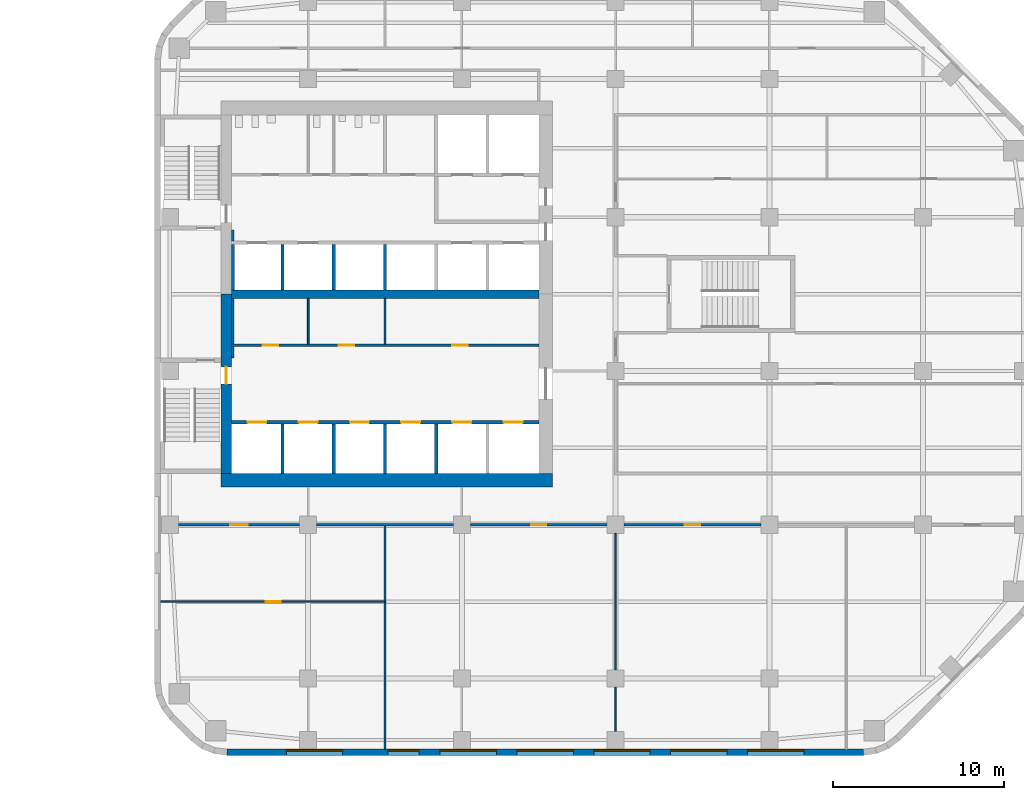
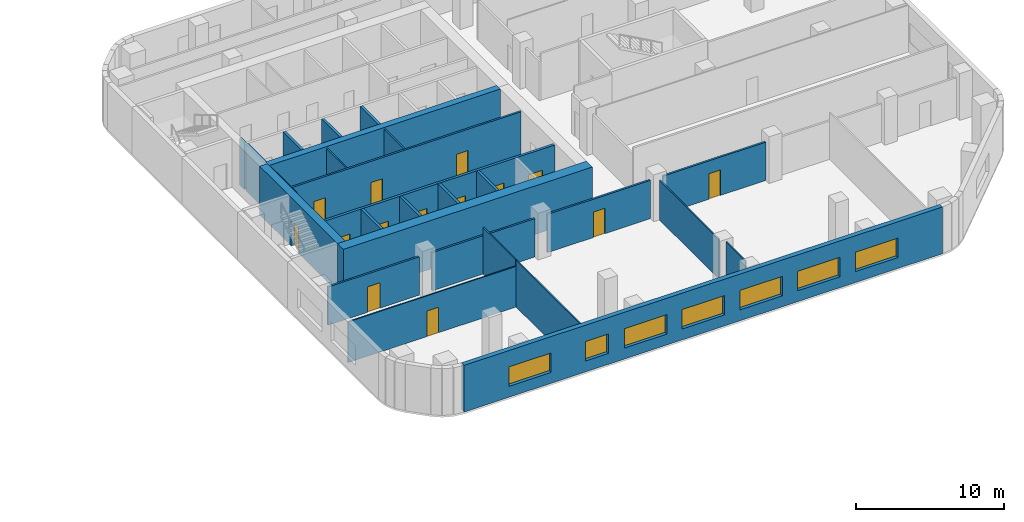
# One storey, part 8 of 14: 28 walls, 14 doors, 7 windows, 21 openings.
"""IFC4 building model written with IfcOpenShell, lengths in metres."""

from ifc_helpers import new_model, si_unit, direction, frame, frame_2d, origin, place, context, subcontext, project, spatial, rectangle, extrude, material, layer, layer_set, type_object, element, fill, save


model = new_model("IFC4")

# Units and contexts
model_context = context("Model", 3, precision=1e-05, world=origin(), true_north=direction((0.0, 1.0)))
body_context = subcontext(model_context, "Body", "Model", "MODEL_VIEW")
ifc_project = project(units=[si_unit("LENGTHUNIT", "METRE"), si_unit("AREAUNIT", "SQUARE_METRE"), si_unit("VOLUMEUNIT", "CUBIC_METRE"), si_unit("PLANEANGLEUNIT", "RADIAN"), si_unit("MASSUNIT", "GRAM", prefix="KILO")], contexts=[model_context])

# Site, building, storey
site_placement = place(None, origin())
site = spatial("IfcSite", under=ifc_project, at=site_placement, CompositionType="ELEMENT")
building_placement = place(site_placement, origin())
building = spatial("IfcBuilding", under=site, at=building_placement, Name="Cinnabar Reach Civic Tower", CompositionType="ELEMENT")
storey_placement = place(building_placement, frame((0.0, 0.0, 108.0)))
storey = spatial("IfcBuildingStorey", under=building, at=storey_placement, Name="L25", CompositionType="ELEMENT", Elevation=108.0)

# Wall, openings, windows
ifc_material_1 = material(Name="Facing brick with insulated backing", Category="masonry")
ifc_layer_1 = layer(ifc_material_1, 0.36)
ifc_layer_set_1 = layer_set([ifc_layer_1], Name="Brick pier and spandrel wall")
wall_type_1 = type_object("IfcWallType", Name="Brick pier and spandrel wall", PredefinedType="STANDARD", material=ifc_layer_set_1)
wall_1_placement = place(storey_placement, frame((4.2426, 4.68, 0.0), z_axis=(0.0, 0.0, 1.0), x_axis=(1.0, 0.0, 0.0)))
wall_1 = element("IfcWall", 1, at=wall_1_placement, inside=storey, type_object=wall_type_1, Name="Brick facade wall", PredefinedType="STANDARD", context=body_context, shape_type="SweptSolid", body=[
    extrude(rectangle(XDim=37.2648, YDim=0.36, at=frame_2d((18.6324, 0.0))), origin(), (0.0, 0.0, 1.0), 3.85),
])
opening_1_placement = place(wall_1_placement, frame((3.4824, 0.0, 0.9)))
opening_1 = element("IfcOpeningElement", 2, at=opening_1_placement, cuts=wall_1, Name="Opening W1523", PredefinedType="OPENING", context=body_context, shape_type="SweptSolid", body=[
    extrude(rectangle(XDim=3.3, YDim=1.6, at=frame_2d((1.65, 0.8))), frame((0.0, 0.19, 0.0), z_axis=(0.0, -1.0, 0.0), x_axis=(1.0, 0.0, 0.0)), (0.0, 0.0, 1.0), 0.38),
])
opening_2_placement = place(wall_1_placement, frame((9.4324, 0.0, 0.9)))
opening_2 = element("IfcOpeningElement", 3, at=opening_2_placement, cuts=wall_1, Name="Opening W1524", PredefinedType="OPENING", context=body_context, shape_type="SweptSolid", body=[
    extrude(rectangle(XDim=1.8, YDim=1.6, at=frame_2d((0.9, 0.8))), frame((0.0, 0.19, 0.0), z_axis=(0.0, -1.0, 0.0), x_axis=(1.0, 0.0, 0.0)), (0.0, 0.0, 1.0), 0.38),
])
opening_3_placement = place(wall_1_placement, frame((12.4824, 0.0, 0.9)))
opening_3 = element("IfcOpeningElement", 4, at=opening_3_placement, cuts=wall_1, Name="Opening W1525", PredefinedType="OPENING", context=body_context, shape_type="SweptSolid", body=[
    extrude(rectangle(XDim=3.3, YDim=1.6, at=frame_2d((1.65, 0.8))), frame((0.0, 0.19, 0.0), z_axis=(0.0, -1.0, 0.0), x_axis=(1.0, 0.0, 0.0)), (0.0, 0.0, 1.0), 0.38),
])
opening_4_placement = place(wall_1_placement, frame((16.9824, 0.0, 0.9)))
opening_4 = element("IfcOpeningElement", 5, at=opening_4_placement, cuts=wall_1, Name="Opening W1526", PredefinedType="OPENING", context=body_context, shape_type="SweptSolid", body=[
    extrude(rectangle(XDim=3.3, YDim=1.6, at=frame_2d((1.65, 0.8))), frame((0.0, 0.19, 0.0), z_axis=(0.0, -1.0, 0.0), x_axis=(1.0, 0.0, 0.0)), (0.0, 0.0, 1.0), 0.38),
])
opening_5_placement = place(wall_1_placement, frame((21.4824, 0.0, 0.9)))
opening_5 = element("IfcOpeningElement", 6, at=opening_5_placement, cuts=wall_1, Name="Opening W1527", PredefinedType="OPENING", context=body_context, shape_type="SweptSolid", body=[
    extrude(rectangle(XDim=3.3, YDim=1.6, at=frame_2d((1.65, 0.8))), frame((0.0, 0.19, 0.0), z_axis=(0.0, -1.0, 0.0), x_axis=(1.0, 0.0, 0.0)), (0.0, 0.0, 1.0), 0.38),
])
opening_6_placement = place(wall_1_placement, frame((25.9824, 0.0, 0.9)))
opening_6 = element("IfcOpeningElement", 7, at=opening_6_placement, cuts=wall_1, Name="Opening W1528", PredefinedType="OPENING", context=body_context, shape_type="SweptSolid", body=[
    extrude(rectangle(XDim=3.3, YDim=1.6, at=frame_2d((1.65, 0.8))), frame((0.0, 0.19, 0.0), z_axis=(0.0, -1.0, 0.0), x_axis=(1.0, 0.0, 0.0)), (0.0, 0.0, 1.0), 0.38),
])
opening_7_placement = place(wall_1_placement, frame((30.4824, 0.0, 0.9)))
opening_7 = element("IfcOpeningElement", 8, at=opening_7_placement, cuts=wall_1, Name="Opening W1529", PredefinedType="OPENING", context=body_context, shape_type="SweptSolid", body=[
    extrude(rectangle(XDim=3.3, YDim=1.6, at=frame_2d((1.65, 0.8))), frame((0.0, 0.19, 0.0), z_axis=(0.0, -1.0, 0.0), x_axis=(1.0, 0.0, 0.0)), (0.0, 0.0, 1.0), 0.38),
])
ifc_material_2 = material(Name="Clear double glazing in aluminium frame", Category="aluminium")
window_type_1 = type_object("IfcWindowType", Name="Deep-set window A", PartitioningType="SINGLE_PANEL", PredefinedType="WINDOW", material=ifc_material_2)
window_1_placement = place(opening_1_placement, origin())
window_1 = element("IfcWindow", 9, at=window_1_placement, inside=storey, type_object=window_type_1, Name="Window south face", OverallHeight=1.6, OverallWidth=3.3, PartitioningType="SINGLE_PANEL", PredefinedType="WINDOW", context=body_context, shape_type="SweptSolid", body=[
    extrude(rectangle(XDim=3.3, YDim=1.6, at=frame_2d((1.65, 0.8))), frame((0.0, 0.13, 0.0), z_axis=(0.0, -1.0, 0.0), x_axis=(1.0, 0.0, 0.0)), (0.0, 0.0, 1.0), 0.06),
])
fill(opening_1, window_1)
window_2_placement = place(opening_3_placement, origin())
window_2 = element("IfcWindow", 10, at=window_2_placement, inside=storey, type_object=window_type_1, Name="Window south face", OverallHeight=1.6, OverallWidth=3.3, PartitioningType="SINGLE_PANEL", PredefinedType="WINDOW", context=body_context, shape_type="SweptSolid", body=[
    extrude(rectangle(XDim=3.3, YDim=1.6, at=frame_2d((1.65, 0.8))), frame((0.0, 0.13, 0.0), z_axis=(0.0, -1.0, 0.0), x_axis=(1.0, 0.0, 0.0)), (0.0, 0.0, 1.0), 0.06),
])
fill(opening_3, window_2)
window_3_placement = place(opening_4_placement, origin())
window_3 = element("IfcWindow", 11, at=window_3_placement, inside=storey, type_object=window_type_1, Name="Window south face", OverallHeight=1.6, OverallWidth=3.3, PartitioningType="SINGLE_PANEL", PredefinedType="WINDOW", context=body_context, shape_type="SweptSolid", body=[
    extrude(rectangle(XDim=3.3, YDim=1.6, at=frame_2d((1.65, 0.8))), frame((0.0, 0.13, 0.0), z_axis=(0.0, -1.0, 0.0), x_axis=(1.0, 0.0, 0.0)), (0.0, 0.0, 1.0), 0.06),
])
fill(opening_4, window_3)
window_4_placement = place(opening_5_placement, origin())
window_4 = element("IfcWindow", 12, at=window_4_placement, inside=storey, type_object=window_type_1, Name="Window south face", OverallHeight=1.6, OverallWidth=3.3, PartitioningType="SINGLE_PANEL", PredefinedType="WINDOW", context=body_context, shape_type="SweptSolid", body=[
    extrude(rectangle(XDim=3.3, YDim=1.6, at=frame_2d((1.65, 0.8))), frame((0.0, 0.13, 0.0), z_axis=(0.0, -1.0, 0.0), x_axis=(1.0, 0.0, 0.0)), (0.0, 0.0, 1.0), 0.06),
])
fill(opening_5, window_4)
window_5_placement = place(opening_6_placement, origin())
window_5 = element("IfcWindow", 13, at=window_5_placement, inside=storey, type_object=window_type_1, Name="Window south face", OverallHeight=1.6, OverallWidth=3.3, PartitioningType="SINGLE_PANEL", PredefinedType="WINDOW", context=body_context, shape_type="SweptSolid", body=[
    extrude(rectangle(XDim=3.3, YDim=1.6, at=frame_2d((1.65, 0.8))), frame((0.0, 0.13, 0.0), z_axis=(0.0, -1.0, 0.0), x_axis=(1.0, 0.0, 0.0)), (0.0, 0.0, 1.0), 0.06),
])
fill(opening_6, window_5)
window_6_placement = place(opening_7_placement, origin())
window_6 = element("IfcWindow", 14, at=window_6_placement, inside=storey, type_object=window_type_1, Name="Window south face", OverallHeight=1.6, OverallWidth=3.3, PartitioningType="SINGLE_PANEL", PredefinedType="WINDOW", context=body_context, shape_type="SweptSolid", body=[
    extrude(rectangle(XDim=3.3, YDim=1.6, at=frame_2d((1.65, 0.8))), frame((0.0, 0.13, 0.0), z_axis=(0.0, -1.0, 0.0), x_axis=(1.0, 0.0, 0.0)), (0.0, 0.0, 1.0), 0.06),
])
fill(opening_7, window_6)
window_type_2 = type_object("IfcWindowType", Name="Deep-set window D", PartitioningType="SINGLE_PANEL", PredefinedType="WINDOW", material=ifc_material_2)
window_7_placement = place(opening_2_placement, origin())
window_7 = element("IfcWindow", 15, at=window_7_placement, inside=storey, type_object=window_type_2, Name="Window south face", OverallHeight=1.6, OverallWidth=1.8, PartitioningType="SINGLE_PANEL", PredefinedType="WINDOW", context=body_context, shape_type="SweptSolid", body=[
    extrude(rectangle(XDim=1.8, YDim=1.6, at=frame_2d((0.9, 0.8))), frame((0.0, 0.13, 0.0), z_axis=(0.0, -1.0, 0.0), x_axis=(1.0, 0.0, 0.0)), (0.0, 0.0, 1.0), 0.06),
])
fill(opening_2, window_7)

# Wall
ifc_material_3 = material(Name="Concrete C60", Category="concrete")
ifc_layer_2 = layer(ifc_material_3, 0.5)
ifc_layer_set_2 = layer_set([ifc_layer_2], Name="Core wall 500 EI 180")
wall_type_2 = type_object("IfcWallType", Name="Core wall 500 EI 180", PredefinedType="SOLIDWALL", material=ifc_layer_set_2)
wall_2_placement = place(storey_placement, frame((4.5, 31.5, 0.0), z_axis=(0.0, 0.0, 1.0), x_axis=(1.0, 0.0, 0.0)))
element("IfcWall", 16, at=wall_2_placement, inside=storey, type_object=wall_type_2, Name="Core spine wall T1 L25", PredefinedType="SOLIDWALL", context=body_context, shape_type="SweptSolid", body=[
    extrude(rectangle(XDim=18.0, YDim=0.5, at=frame_2d((9.0, 0.0))), origin(), (0.0, 0.0, 1.0), 4.0),
])

# Wall, opening, door
ifc_material_4 = material(Name="Concrete C70", Category="concrete")
ifc_layer_3 = layer(ifc_material_4, 0.6)
ifc_layer_set_3 = layer_set([ifc_layer_3], Name="Core wall 600 EI 180")
wall_type_3 = type_object("IfcWallType", Name="Core wall 600 EI 180", PredefinedType="SOLIDWALL", material=ifc_layer_set_3)
wall_3_placement = place(storey_placement, frame((4.2, 31.5, 0.0), z_axis=(0.0, 0.0, 1.0), x_axis=(0.0, -1.0, 0.0)))
wall_3 = element("IfcWall", 17, at=wall_3_placement, inside=storey, type_object=wall_type_3, Name="Core wall T1 L25 W2", PredefinedType="SOLIDWALL", context=body_context, shape_type="SweptSolid", body=[
    extrude(rectangle(XDim=10.5, YDim=0.6, at=frame_2d((5.25, 0.0))), origin(), (0.0, 0.0, 1.0), 4.0),
])
opening_8_placement = place(wall_3_placement, frame((4.25, 0.0, 0.0)))
opening_8 = element("IfcOpeningElement", 18, at=opening_8_placement, cuts=wall_3, Name="Opening D4005", PredefinedType="OPENING", context=body_context, shape_type="SweptSolid", body=[
    extrude(rectangle(XDim=1.0, YDim=2.1, at=frame_2d((0.5, 1.05))), frame((0.0, 0.31, 0.0), z_axis=(0.0, -1.0, 0.0), x_axis=(1.0, 0.0, 0.0)), (0.0, 0.0, 1.0), 0.62),
])
ifc_material_5 = material(Name="Timber door leaf in steel frame", Category="steel")
door_type_1 = type_object("IfcDoorType", Name="Stair door 1000 x 2100 T1", OperationType="SINGLE_SWING_LEFT", PredefinedType="DOOR", material=ifc_material_5)
door_1_placement = place(opening_8_placement, frame((1.0, 0.0, 0.0), z_axis=(0.0, 0.0, 1.0), x_axis=(-1.0, 0.0, 0.0)))
door_1 = element("IfcDoor", 19, at=door_1_placement, inside=storey, type_object=door_type_1, Name="Door D4005", OperationType="SINGLE_SWING_RIGHT", OverallHeight=2.1, OverallWidth=1.0, PredefinedType="DOOR", context=body_context, shape_type="SweptSolid", body=[
    extrude(rectangle(XDim=1.0, YDim=2.1, at=frame_2d((0.5, 1.05))), frame((0.0, 0.025, 0.0), z_axis=(0.0, -1.0, 0.0), x_axis=(1.0, 0.0, 0.0)), (0.0, 0.0, 1.0), 0.05),
])
fill(opening_8, door_1)

# Wall
ifc_layer_4 = layer(ifc_material_4, 0.8)
ifc_layer_set_4 = layer_set([ifc_layer_4], Name="Core wall 800 EI 180")
wall_type_4 = type_object("IfcWallType", Name="Core wall 800 EI 180", PredefinedType="SOLIDWALL", material=ifc_layer_set_4)
wall_4_placement = place(storey_placement, frame((3.9, 20.6, 0.0), z_axis=(0.0, 0.0, 1.0), x_axis=(1.0, 0.0, 0.0)))
element("IfcWall", 20, at=wall_4_placement, inside=storey, type_object=wall_type_4, Name="Core wall T1 L25 S", PredefinedType="SOLIDWALL", context=body_context, shape_type="SweptSolid", body=[
    extrude(rectangle(XDim=19.4, YDim=0.8, at=frame_2d((9.7, 0.0))), origin(), (0.0, 0.0, 1.0), 4.0),
])

# Wall, opening, door
ifc_material_6 = material(Name="Gypsum board on steel studs, double layer", Category="steel")
ifc_layer_5 = layer(ifc_material_6, 0.15)
ifc_layer_set_5 = layer_set([ifc_layer_5], Name="Corridor wall 150 T1")
wall_type_5 = type_object("IfcWallType", Name="Corridor wall 150 T1", PredefinedType="PARTITIONING", material=ifc_layer_set_5)
wall_5_placement = place(storey_placement, frame((27.5, 18.0, 0.0), z_axis=(0.0, 0.0, 1.0), x_axis=(1.0, 0.0, 0.0)))
wall_5 = element("IfcWall", 21, at=wall_5_placement, inside=storey, type_object=wall_type_5, Name="Corridor wall 21", PredefinedType="PARTITIONING", context=body_context, shape_type="SweptSolid", body=[
    extrude(rectangle(XDim=8.0, YDim=0.15, at=frame_2d((4.0, 0.0))), origin(), (0.0, 0.0, 1.0), 3.158),
])
opening_9_placement = place(wall_5_placement, frame((3.55, 0.0, 0.0)))
opening_9 = element("IfcOpeningElement", 22, at=opening_9_placement, cuts=wall_5, Name="Opening D4040", PredefinedType="OPENING", context=body_context, shape_type="SweptSolid", body=[
    extrude(rectangle(XDim=0.9, YDim=2.1, at=frame_2d((0.45, 1.05))), frame((0.0, 0.085, 0.0), z_axis=(0.0, -1.0, 0.0), x_axis=(1.0, 0.0, 0.0)), (0.0, 0.0, 1.0), 0.17),
])
door_type_2 = type_object("IfcDoorType", Name="Single swing door 900 x 2100 corridor T1", OperationType="SINGLE_SWING_LEFT", PredefinedType="DOOR", material=ifc_material_5)
door_2_placement = place(opening_9_placement, frame((0.9, 0.0, 0.0), z_axis=(0.0, 0.0, 1.0), x_axis=(-1.0, 0.0, 0.0)))
door_2 = element("IfcDoor", 23, at=door_2_placement, inside=storey, type_object=door_type_2, Name="Door D4040", OperationType="SINGLE_SWING_LEFT", OverallHeight=2.1, OverallWidth=0.9, PredefinedType="DOOR", context=body_context, shape_type="SweptSolid", body=[
    extrude(rectangle(XDim=0.9, YDim=2.1, at=frame_2d((0.45, 1.05))), frame((0.0, 0.025, 0.0), z_axis=(0.0, -1.0, 0.0), x_axis=(1.0, 0.0, 0.0)), (0.0, 0.0, 1.0), 0.05),
])
fill(opening_9, door_2)

wall_6_placement = place(storey_placement, frame((18.5, 18.0, 0.0), z_axis=(0.0, 0.0, 1.0), x_axis=(1.0, 0.0, 0.0)))
wall_6 = element("IfcWall", 24, at=wall_6_placement, inside=storey, type_object=wall_type_5, Name="Corridor wall 22", PredefinedType="PARTITIONING", context=body_context, shape_type="SweptSolid", body=[
    extrude(rectangle(XDim=8.0, YDim=0.15, at=frame_2d((4.0, 0.0))), origin(), (0.0, 0.0, 1.0), 3.158),
])
opening_10_placement = place(wall_6_placement, frame((3.55, 0.0, 0.0)))
opening_10 = element("IfcOpeningElement", 25, at=opening_10_placement, cuts=wall_6, Name="Opening D4039", PredefinedType="OPENING", context=body_context, shape_type="SweptSolid", body=[
    extrude(rectangle(XDim=0.9, YDim=2.1, at=frame_2d((0.45, 1.05))), frame((0.0, 0.085, 0.0), z_axis=(0.0, -1.0, 0.0), x_axis=(1.0, 0.0, 0.0)), (0.0, 0.0, 1.0), 0.17),
])
door_3_placement = place(opening_10_placement, frame((0.9, 0.0, 0.0), z_axis=(0.0, 0.0, 1.0), x_axis=(-1.0, 0.0, 0.0)))
door_3 = element("IfcDoor", 26, at=door_3_placement, inside=storey, type_object=door_type_2, Name="Door D4039", OperationType="SINGLE_SWING_RIGHT", OverallHeight=2.1, OverallWidth=0.9, PredefinedType="DOOR", context=body_context, shape_type="SweptSolid", body=[
    extrude(rectangle(XDim=0.9, YDim=2.1, at=frame_2d((0.45, 1.05))), frame((0.0, 0.025, 0.0), z_axis=(0.0, -1.0, 0.0), x_axis=(1.0, 0.0, 0.0)), (0.0, 0.0, 1.0), 0.05),
])
fill(opening_10, door_3)

# Wall
wall_7_placement = place(storey_placement, frame((9.5, 18.0, 0.0), z_axis=(0.0, 0.0, 1.0), x_axis=(1.0, 0.0, 0.0)))
element("IfcWall", 27, at=wall_7_placement, inside=storey, type_object=wall_type_5, Name="Corridor wall 23", PredefinedType="PARTITIONING", context=body_context, shape_type="SweptSolid", body=[
    extrude(rectangle(XDim=8.0, YDim=0.15, at=frame_2d((4.0, 0.0))), origin(), (0.0, 0.0, 1.0), 3.158),
])

# Wall, opening, door
wall_8_placement = place(storey_placement, frame((1.4, 18.0, 0.0), z_axis=(0.0, 0.0, 1.0), x_axis=(1.0, 0.0, 0.0)))
wall_8 = element("IfcWall", 28, at=wall_8_placement, inside=storey, type_object=wall_type_5, Name="Corridor wall 24", PredefinedType="PARTITIONING", context=body_context, shape_type="SweptSolid", body=[
    extrude(rectangle(XDim=7.1, YDim=0.15, at=frame_2d((3.55, 0.0))), origin(), (0.0, 0.0, 1.0), 3.158),
])
opening_11_placement = place(wall_8_placement, frame((3.05, 0.0, 0.0)))
opening_11 = element("IfcOpeningElement", 29, at=opening_11_placement, cuts=wall_8, Name="Opening D4037", PredefinedType="OPENING", context=body_context, shape_type="SweptSolid", body=[
    extrude(rectangle(XDim=1.0, YDim=2.1, at=frame_2d((0.5, 1.05))), frame((0.0, 0.085, 0.0), z_axis=(0.0, -1.0, 0.0), x_axis=(1.0, 0.0, 0.0)), (0.0, 0.0, 1.0), 0.17),
])
door_type_3 = type_object("IfcDoorType", Name="Tenancy entrance door 1000 x 2100 T1", OperationType="SINGLE_SWING_LEFT", PredefinedType="DOOR", material=ifc_material_5)
door_4_placement = place(opening_11_placement, frame((1.0, 0.0, 0.0), z_axis=(0.0, 0.0, 1.0), x_axis=(-1.0, 0.0, 0.0)))
door_4 = element("IfcDoor", 30, at=door_4_placement, inside=storey, type_object=door_type_3, Name="Door D4037", OperationType="SINGLE_SWING_LEFT", OverallHeight=2.1, OverallWidth=1.0, PredefinedType="DOOR", context=body_context, shape_type="SweptSolid", body=[
    extrude(rectangle(XDim=1.0, YDim=2.1, at=frame_2d((0.5, 1.05))), frame((0.0, 0.025, 0.0), z_axis=(0.0, -1.0, 0.0), x_axis=(1.0, 0.0, 0.0)), (0.0, 0.0, 1.0), 0.05),
])
fill(opening_11, door_4)

# Wall, openings, doors
wall_9_placement = place(storey_placement, frame((4.5, 28.5, 0.0), z_axis=(0.0, 0.0, 1.0), x_axis=(1.0, 0.0, 0.0)))
wall_9 = element("IfcWall", 31, at=wall_9_placement, inside=storey, type_object=wall_type_5, Name="Corridor wall 29", PredefinedType="PARTITIONING", context=body_context, shape_type="SweptSolid", body=[
    extrude(rectangle(XDim=18.0, YDim=0.15, at=frame_2d((9.0, 0.0))), origin(), (0.0, 0.0, 1.0), 3.85),
])
opening_12_placement = place(wall_9_placement, frame((1.85, 0.0, 0.0)))
opening_12 = element("IfcOpeningElement", 32, at=opening_12_placement, cuts=wall_9, Name="Opening D4025", PredefinedType="OPENING", context=body_context, shape_type="SweptSolid", body=[
    extrude(rectangle(XDim=0.9, YDim=2.1, at=frame_2d((0.45, 1.05))), frame((0.0, 0.085, 0.0), z_axis=(0.0, -1.0, 0.0), x_axis=(1.0, 0.0, 0.0)), (0.0, 0.0, 1.0), 0.17),
])
opening_13_placement = place(wall_9_placement, frame((6.3, 0.0, 0.0)))
opening_13 = element("IfcOpeningElement", 33, at=opening_13_placement, cuts=wall_9, Name="Opening D4026", PredefinedType="OPENING", context=body_context, shape_type="SweptSolid", body=[
    extrude(rectangle(XDim=0.9, YDim=2.1, at=frame_2d((0.45, 1.05))), frame((0.0, 0.085, 0.0), z_axis=(0.0, -1.0, 0.0), x_axis=(1.0, 0.0, 0.0)), (0.0, 0.0, 1.0), 0.17),
])
opening_14_placement = place(wall_9_placement, frame((12.95, 0.0, 0.0)))
opening_14 = element("IfcOpeningElement", 34, at=opening_14_placement, cuts=wall_9, Name="Opening D4027", PredefinedType="OPENING", context=body_context, shape_type="SweptSolid", body=[
    extrude(rectangle(XDim=0.9, YDim=2.1, at=frame_2d((0.45, 1.05))), frame((0.0, 0.085, 0.0), z_axis=(0.0, -1.0, 0.0), x_axis=(1.0, 0.0, 0.0)), (0.0, 0.0, 1.0), 0.17),
])
door_5_placement = place(opening_12_placement, origin())
door_5 = element("IfcDoor", 35, at=door_5_placement, inside=storey, type_object=door_type_2, Name="Door D4025", OperationType="SINGLE_SWING_LEFT", OverallHeight=2.1, OverallWidth=0.9, PredefinedType="DOOR", context=body_context, shape_type="SweptSolid", body=[
    extrude(rectangle(XDim=0.9, YDim=2.1, at=frame_2d((0.45, 1.05))), frame((0.0, 0.025, 0.0), z_axis=(0.0, -1.0, 0.0), x_axis=(1.0, 0.0, 0.0)), (0.0, 0.0, 1.0), 0.05),
])
fill(opening_12, door_5)
door_6_placement = place(opening_13_placement, origin())
door_6 = element("IfcDoor", 36, at=door_6_placement, inside=storey, type_object=door_type_2, Name="Door D4026", OperationType="SINGLE_SWING_LEFT", OverallHeight=2.1, OverallWidth=0.9, PredefinedType="DOOR", context=body_context, shape_type="SweptSolid", body=[
    extrude(rectangle(XDim=0.9, YDim=2.1, at=frame_2d((0.45, 1.05))), frame((0.0, 0.025, 0.0), z_axis=(0.0, -1.0, 0.0), x_axis=(1.0, 0.0, 0.0)), (0.0, 0.0, 1.0), 0.05),
])
fill(opening_13, door_6)
door_7_placement = place(opening_14_placement, origin())
door_7 = element("IfcDoor", 37, at=door_7_placement, inside=storey, type_object=door_type_2, Name="Door D4027", OperationType="SINGLE_SWING_RIGHT", OverallHeight=2.1, OverallWidth=0.9, PredefinedType="DOOR", context=body_context, shape_type="SweptSolid", body=[
    extrude(rectangle(XDim=0.9, YDim=2.1, at=frame_2d((0.45, 1.05))), frame((0.0, 0.025, 0.0), z_axis=(0.0, -1.0, 0.0), x_axis=(1.0, 0.0, 0.0)), (0.0, 0.0, 1.0), 0.05),
])
fill(opening_14, door_7)

# Walls
wall_10_placement = place(storey_placement, frame((4.575, 27.75, 0.0), z_axis=(0.0, 0.0, 1.0), x_axis=(0.0, 1.0, 0.0)))
element("IfcWall", 38, at=wall_10_placement, inside=storey, type_object=wall_type_5, Name="Corridor wall 35", PredefinedType="PARTITIONING", context=body_context, shape_type="SweptSolid", body=[
    extrude(rectangle(XDim=0.675, YDim=0.15, at=frame_2d((0.3375, 0.0))), origin(), (0.0, 0.0, 1.0), 3.85),
])
wall_11_placement = place(storey_placement, frame((4.575, 28.575, 0.0), z_axis=(0.0, 0.0, 1.0), x_axis=(0.0, 1.0, 0.0)))
element("IfcWall", 39, at=wall_11_placement, inside=storey, type_object=wall_type_5, Name="Corridor wall 36", PredefinedType="PARTITIONING", context=body_context, shape_type="SweptSolid", body=[
    extrude(rectangle(XDim=2.675, YDim=0.15, at=frame_2d((1.3375, 0.0))), origin(), (0.0, 0.0, 1.0), 3.85),
])
wall_12_placement = place(storey_placement, frame((4.575, 34.6, 0.0), z_axis=(0.0, 0.0, 1.0), x_axis=(0.0, 1.0, 0.0)))
element("IfcWall", 40, at=wall_12_placement, inside=storey, type_object=wall_type_5, Name="Corridor wall 40", PredefinedType="PARTITIONING", context=body_context, shape_type="SweptSolid", body=[
    extrude(rectangle(XDim=0.65, YDim=0.15, at=frame_2d((0.325, 0.0))), origin(), (0.0, 0.0, 1.0), 3.85),
])

# Wall, openings, doors
ifc_material_7 = material(Name="Blockwork", Category="masonry")
ifc_layer_6 = layer(ifc_material_7, 0.2)
ifc_layer_set_6 = layer_set([ifc_layer_6], Name="Lift shaft wall 200 T1")
wall_type_6 = type_object("IfcWallType", Name="Lift shaft wall 200 T1", PredefinedType="PARTITIONING", material=ifc_layer_set_6)
wall_13_placement = place(storey_placement, frame((4.5, 24.0, 0.0), z_axis=(0.0, 0.0, 1.0), x_axis=(1.0, 0.0, 0.0)))
wall_13 = element("IfcWall", 41, at=wall_13_placement, inside=storey, type_object=wall_type_6, Name="Lift shaft wall 4", PredefinedType="PARTITIONING", context=body_context, shape_type="SweptSolid", body=[
    extrude(rectangle(XDim=18.0, YDim=0.2, at=frame_2d((9.0, 0.0))), origin(), (0.0, 0.0, 1.0), 3.85),
])
opening_15_placement = place(wall_13_placement, frame((0.95, 0.0, 0.0)))
opening_15 = element("IfcOpeningElement", 42, at=opening_15_placement, cuts=wall_13, Name="Opening D4009", PredefinedType="OPENING", context=body_context, shape_type="SweptSolid", body=[
    extrude(rectangle(XDim=1.1, YDim=2.1, at=frame_2d((0.55, 1.05))), frame((0.0, 0.11, 0.0), z_axis=(0.0, -1.0, 0.0), x_axis=(1.0, 0.0, 0.0)), (0.0, 0.0, 1.0), 0.22),
])
opening_16_placement = place(wall_13_placement, frame((3.95, 0.0, 0.0)))
opening_16 = element("IfcOpeningElement", 43, at=opening_16_placement, cuts=wall_13, Name="Opening D4010", PredefinedType="OPENING", context=body_context, shape_type="SweptSolid", body=[
    extrude(rectangle(XDim=1.1, YDim=2.1, at=frame_2d((0.55, 1.05))), frame((0.0, 0.11, 0.0), z_axis=(0.0, -1.0, 0.0), x_axis=(1.0, 0.0, 0.0)), (0.0, 0.0, 1.0), 0.22),
])
opening_17_placement = place(wall_13_placement, frame((6.95, 0.0, 0.0)))
opening_17 = element("IfcOpeningElement", 44, at=opening_17_placement, cuts=wall_13, Name="Opening D4011", PredefinedType="OPENING", context=body_context, shape_type="SweptSolid", body=[
    extrude(rectangle(XDim=1.1, YDim=2.1, at=frame_2d((0.55, 1.05))), frame((0.0, 0.11, 0.0), z_axis=(0.0, -1.0, 0.0), x_axis=(1.0, 0.0, 0.0)), (0.0, 0.0, 1.0), 0.22),
])
opening_18_placement = place(wall_13_placement, frame((9.95, 0.0, 0.0)))
opening_18 = element("IfcOpeningElement", 45, at=opening_18_placement, cuts=wall_13, Name="Opening D4012", PredefinedType="OPENING", context=body_context, shape_type="SweptSolid", body=[
    extrude(rectangle(XDim=1.1, YDim=2.1, at=frame_2d((0.55, 1.05))), frame((0.0, 0.11, 0.0), z_axis=(0.0, -1.0, 0.0), x_axis=(1.0, 0.0, 0.0)), (0.0, 0.0, 1.0), 0.22),
])
opening_19_placement = place(wall_13_placement, frame((12.95, 0.0, 0.0)))
opening_19 = element("IfcOpeningElement", 46, at=opening_19_placement, cuts=wall_13, Name="Opening D4013", PredefinedType="OPENING", context=body_context, shape_type="SweptSolid", body=[
    extrude(rectangle(XDim=1.1, YDim=2.1, at=frame_2d((0.55, 1.05))), frame((0.0, 0.11, 0.0), z_axis=(0.0, -1.0, 0.0), x_axis=(1.0, 0.0, 0.0)), (0.0, 0.0, 1.0), 0.22),
])
opening_20_placement = place(wall_13_placement, frame((15.95, 0.0, 0.0)))
opening_20 = element("IfcOpeningElement", 47, at=opening_20_placement, cuts=wall_13, Name="Opening D4014", PredefinedType="OPENING", context=body_context, shape_type="SweptSolid", body=[
    extrude(rectangle(XDim=1.1, YDim=2.1, at=frame_2d((0.55, 1.05))), frame((0.0, 0.11, 0.0), z_axis=(0.0, -1.0, 0.0), x_axis=(1.0, 0.0, 0.0)), (0.0, 0.0, 1.0), 0.22),
])
ifc_material_8 = material(Name="Stainless steel sliding door", Category="steel")
door_type_4 = type_object("IfcDoorType", Name="Lift landing door 1100 x 2100 T1", OperationType="SLIDING_TO_LEFT", PredefinedType="DOOR", material=ifc_material_8)
door_8_placement = place(opening_15_placement, origin())
door_8 = element("IfcDoor", 48, at=door_8_placement, inside=storey, type_object=door_type_4, Name="Lift landing door LR1 L25", OperationType="SLIDING_TO_LEFT", OverallHeight=2.1, OverallWidth=1.1, PredefinedType="DOOR", context=body_context, shape_type="SweptSolid", body=[
    extrude(rectangle(XDim=1.1, YDim=2.1, at=frame_2d((0.55, 1.05))), frame((0.0, 0.025, 0.0), z_axis=(0.0, -1.0, 0.0), x_axis=(1.0, 0.0, 0.0)), (0.0, 0.0, 1.0), 0.05),
])
fill(opening_15, door_8)
door_9_placement = place(opening_16_placement, origin())
door_9 = element("IfcDoor", 49, at=door_9_placement, inside=storey, type_object=door_type_4, Name="Lift landing door LR2 L25", OperationType="SLIDING_TO_LEFT", OverallHeight=2.1, OverallWidth=1.1, PredefinedType="DOOR", context=body_context, shape_type="SweptSolid", body=[
    extrude(rectangle(XDim=1.1, YDim=2.1, at=frame_2d((0.55, 1.05))), frame((0.0, 0.025, 0.0), z_axis=(0.0, -1.0, 0.0), x_axis=(1.0, 0.0, 0.0)), (0.0, 0.0, 1.0), 0.05),
])
fill(opening_16, door_9)
door_10_placement = place(opening_17_placement, origin())
door_10 = element("IfcDoor", 50, at=door_10_placement, inside=storey, type_object=door_type_4, Name="Lift landing door LR3 L25", OperationType="SLIDING_TO_LEFT", OverallHeight=2.1, OverallWidth=1.1, PredefinedType="DOOR", context=body_context, shape_type="SweptSolid", body=[
    extrude(rectangle(XDim=1.1, YDim=2.1, at=frame_2d((0.55, 1.05))), frame((0.0, 0.025, 0.0), z_axis=(0.0, -1.0, 0.0), x_axis=(1.0, 0.0, 0.0)), (0.0, 0.0, 1.0), 0.05),
])
fill(opening_17, door_10)
door_11_placement = place(opening_18_placement, origin())
door_11 = element("IfcDoor", 51, at=door_11_placement, inside=storey, type_object=door_type_4, Name="Lift landing door LR4 L25", OperationType="SLIDING_TO_LEFT", OverallHeight=2.1, OverallWidth=1.1, PredefinedType="DOOR", context=body_context, shape_type="SweptSolid", body=[
    extrude(rectangle(XDim=1.1, YDim=2.1, at=frame_2d((0.55, 1.05))), frame((0.0, 0.025, 0.0), z_axis=(0.0, -1.0, 0.0), x_axis=(1.0, 0.0, 0.0)), (0.0, 0.0, 1.0), 0.05),
])
fill(opening_18, door_11)
door_12_placement = place(opening_19_placement, origin())
door_12 = element("IfcDoor", 52, at=door_12_placement, inside=storey, type_object=door_type_4, Name="Lift landing door LR5 L25", OperationType="SLIDING_TO_LEFT", OverallHeight=2.1, OverallWidth=1.1, PredefinedType="DOOR", context=body_context, shape_type="SweptSolid", body=[
    extrude(rectangle(XDim=1.1, YDim=2.1, at=frame_2d((0.55, 1.05))), frame((0.0, 0.025, 0.0), z_axis=(0.0, -1.0, 0.0), x_axis=(1.0, 0.0, 0.0)), (0.0, 0.0, 1.0), 0.05),
])
fill(opening_19, door_12)
door_13_placement = place(opening_20_placement, origin())
door_13 = element("IfcDoor", 53, at=door_13_placement, inside=storey, type_object=door_type_4, Name="Lift landing door LR6 L25", OperationType="SLIDING_TO_LEFT", OverallHeight=2.1, OverallWidth=1.1, PredefinedType="DOOR", context=body_context, shape_type="SweptSolid", body=[
    extrude(rectangle(XDim=1.1, YDim=2.1, at=frame_2d((0.55, 1.05))), frame((0.0, 0.025, 0.0), z_axis=(0.0, -1.0, 0.0), x_axis=(1.0, 0.0, 0.0)), (0.0, 0.0, 1.0), 0.05),
])
fill(opening_20, door_13)

# Walls
wall_14_placement = place(storey_placement, frame((4.6, 31.75, 0.0), z_axis=(0.0, 0.0, 1.0), x_axis=(0.0, 1.0, 0.0)))
element("IfcWall", 54, at=wall_14_placement, inside=storey, type_object=wall_type_6, Name="Lift shaft wall 8", PredefinedType="PARTITIONING", context=body_context, shape_type="SweptSolid", body=[
    extrude(rectangle(XDim=2.65, YDim=0.2, at=frame_2d((1.325, 0.0))), origin(), (0.0, 0.0, 1.0), 3.85),
])
wall_15_placement = place(storey_placement, frame((7.5, 21.0, 0.0), z_axis=(0.0, 0.0, 1.0), x_axis=(0.0, 1.0, 0.0)))
element("IfcWall", 55, at=wall_15_placement, inside=storey, type_object=wall_type_6, Name="Lift shaft wall 9", PredefinedType="PARTITIONING", context=body_context, shape_type="SweptSolid", body=[
    extrude(rectangle(XDim=2.9, YDim=0.2, at=frame_2d((1.45, 0.0))), origin(), (0.0, 0.0, 1.0), 3.85),
])
wall_16_placement = place(storey_placement, frame((7.5, 31.75, 0.0), z_axis=(0.0, 0.0, 1.0), x_axis=(0.0, 1.0, 0.0)))
element("IfcWall", 56, at=wall_16_placement, inside=storey, type_object=wall_type_6, Name="Lift shaft wall 10", PredefinedType="PARTITIONING", context=body_context, shape_type="SweptSolid", body=[
    extrude(rectangle(XDim=2.65, YDim=0.2, at=frame_2d((1.325, 0.0))), origin(), (0.0, 0.0, 1.0), 3.85),
])
wall_17_placement = place(storey_placement, frame((10.5, 21.0, 0.0), z_axis=(0.0, 0.0, 1.0), x_axis=(0.0, 1.0, 0.0)))
element("IfcWall", 57, at=wall_17_placement, inside=storey, type_object=wall_type_6, Name="Lift shaft wall 11", PredefinedType="PARTITIONING", context=body_context, shape_type="SweptSolid", body=[
    extrude(rectangle(XDim=2.9, YDim=0.2, at=frame_2d((1.45, 0.0))), origin(), (0.0, 0.0, 1.0), 3.85),
])
wall_18_placement = place(storey_placement, frame((10.5, 31.75, 0.0), z_axis=(0.0, 0.0, 1.0), x_axis=(0.0, 1.0, 0.0)))
element("IfcWall", 58, at=wall_18_placement, inside=storey, type_object=wall_type_6, Name="Lift shaft wall 12", PredefinedType="PARTITIONING", context=body_context, shape_type="SweptSolid", body=[
    extrude(rectangle(XDim=2.65, YDim=0.2, at=frame_2d((1.325, 0.0))), origin(), (0.0, 0.0, 1.0), 3.85),
])
wall_19_placement = place(storey_placement, frame((13.5, 21.0, 0.0), z_axis=(0.0, 0.0, 1.0), x_axis=(0.0, 1.0, 0.0)))
element("IfcWall", 59, at=wall_19_placement, inside=storey, type_object=wall_type_6, Name="Lift shaft wall 13", PredefinedType="PARTITIONING", context=body_context, shape_type="SweptSolid", body=[
    extrude(rectangle(XDim=2.9, YDim=0.2, at=frame_2d((1.45, 0.0))), origin(), (0.0, 0.0, 1.0), 3.85),
])
wall_20_placement = place(storey_placement, frame((13.5, 31.75, 0.0), z_axis=(0.0, 0.0, 1.0), x_axis=(0.0, 1.0, 0.0)))
element("IfcWall", 60, at=wall_20_placement, inside=storey, type_object=wall_type_6, Name="Lift shaft wall 14", PredefinedType="PARTITIONING", context=body_context, shape_type="SweptSolid", body=[
    extrude(rectangle(XDim=2.65, YDim=0.2, at=frame_2d((1.325, 0.0))), origin(), (0.0, 0.0, 1.0), 3.85),
])
wall_21_placement = place(storey_placement, frame((16.5, 21.0, 0.0), z_axis=(0.0, 0.0, 1.0), x_axis=(0.0, 1.0, 0.0)))
element("IfcWall", 61, at=wall_21_placement, inside=storey, type_object=wall_type_6, Name="Lift shaft wall 15", PredefinedType="PARTITIONING", context=body_context, shape_type="SweptSolid", body=[
    extrude(rectangle(XDim=2.9, YDim=0.2, at=frame_2d((1.45, 0.0))), origin(), (0.0, 0.0, 1.0), 3.85),
])

# Wall, opening, door
ifc_material_9 = material(Name="Gypsum board on steel studs", Category="steel")
ifc_layer_7 = layer(ifc_material_9, 0.1)
ifc_layer_set_7 = layer_set([ifc_layer_7], Name="Partition wall 100 T1")
wall_type_7 = type_object("IfcWallType", Name="Partition wall 100 T1", PredefinedType="PARTITIONING", material=ifc_layer_set_7)
wall_22_placement = place(storey_placement, frame((0.36, 13.5, 0.0), z_axis=(0.0, 0.0, 1.0), x_axis=(1.0, 0.0, 0.0)))
wall_22 = element("IfcWall", 62, at=wall_22_placement, inside=storey, type_object=wall_type_7, Name="Partition wall 45", PredefinedType="PARTITIONING", context=body_context, shape_type="SweptSolid", body=[
    extrude(rectangle(XDim=13.19, YDim=0.1, at=frame_2d((6.595, 0.0))), origin(), (0.0, 0.0, 1.0), 3.354),
])
opening_21_placement = place(wall_22_placement, frame((6.15, 0.0, 0.0)))
opening_21 = element("IfcOpeningElement", 63, at=opening_21_placement, cuts=wall_22, Name="Opening D4038", PredefinedType="OPENING", context=body_context, shape_type="SweptSolid", body=[
    extrude(rectangle(XDim=0.9, YDim=2.1, at=frame_2d((0.45, 1.05))), frame((0.0, 0.06, 0.0), z_axis=(0.0, -1.0, 0.0), x_axis=(1.0, 0.0, 0.0)), (0.0, 0.0, 1.0), 0.12),
])
door_type_5 = type_object("IfcDoorType", Name="Single swing door 900 x 2100 T1", OperationType="SINGLE_SWING_LEFT", PredefinedType="DOOR", material=ifc_material_5)
door_14_placement = place(opening_21_placement, origin())
door_14 = element("IfcDoor", 64, at=door_14_placement, inside=storey, type_object=door_type_5, Name="Door D4038", OperationType="SINGLE_SWING_LEFT", OverallHeight=2.1, OverallWidth=0.9, PredefinedType="DOOR", context=body_context, shape_type="SweptSolid", body=[
    extrude(rectangle(XDim=0.9, YDim=2.1, at=frame_2d((0.45, 1.05))), frame((0.0, 0.025, 0.0), z_axis=(0.0, -1.0, 0.0), x_axis=(1.0, 0.0, 0.0)), (0.0, 0.0, 1.0), 0.05),
])
fill(opening_21, door_14)

# Walls
wall_23_placement = place(storey_placement, frame((13.5, 13.55, 0.0), z_axis=(0.0, 0.0, 1.0), x_axis=(0.0, 1.0, 0.0)))
element("IfcWall", 65, at=wall_23_placement, inside=storey, type_object=wall_type_7, Name="Partition wall 46", PredefinedType="PARTITIONING", context=body_context, shape_type="SweptSolid", body=[
    extrude(rectangle(XDim=4.375, YDim=0.1, at=frame_2d((2.1875, 0.0))), origin(), (0.0, 0.0, 1.0), 3.85),
])
wall_24_placement = place(storey_placement, frame((13.5, 4.86, 0.0), z_axis=(0.0, 0.0, 1.0), x_axis=(0.0, 1.0, 0.0)))
element("IfcWall", 66, at=wall_24_placement, inside=storey, type_object=wall_type_7, Name="Partition wall 47", PredefinedType="PARTITIONING", context=body_context, shape_type="SweptSolid", body=[
    extrude(rectangle(XDim=8.59, YDim=0.1, at=frame_2d((4.295, 0.0))), origin(), (0.0, 0.0, 1.0), 3.85),
])
wall_25_placement = place(storey_placement, frame((27.0, 5.9, 0.0), z_axis=(0.0, 0.0, 1.0), x_axis=(0.0, 1.0, 0.0)))
element("IfcWall", 67, at=wall_25_placement, inside=storey, type_object=wall_type_7, Name="Partition wall 48", PredefinedType="PARTITIONING", context=body_context, shape_type="SweptSolid", body=[
    extrude(rectangle(XDim=2.6, YDim=0.1, at=frame_2d((1.3, 0.0))), origin(), (0.0, 0.0, 1.0), 3.652),
])
wall_26_placement = place(storey_placement, frame((27.0, 9.5, 0.0), z_axis=(0.0, 0.0, 1.0), x_axis=(0.0, 1.0, 0.0)))
element("IfcWall", 68, at=wall_26_placement, inside=storey, type_object=wall_type_7, Name="Partition wall 49", PredefinedType="PARTITIONING", context=body_context, shape_type="SweptSolid", body=[
    extrude(rectangle(XDim=8.0, YDim=0.1, at=frame_2d((4.0, 0.0))), origin(), (0.0, 0.0, 1.0), 3.256),
])
for number, where, z_axis, x_axis, name in (
    (69, (9.0, 28.575, 0.0), (0.0, 0.0, 1.0), (0.0, 1.0, 0.0), "Partition wall 56"),
    (70, (13.5, 28.575, 0.0), (0.0, 0.0, 1.0), (0.0, 1.0, 0.0), "Partition wall 57"),
):
    element("IfcWall", number, at=place(storey_placement, frame(where, z_axis=z_axis, x_axis=x_axis)), inside=storey, type_object=wall_type_7, Name=name, PredefinedType="PARTITIONING", context=body_context, shape_type="SweptSolid", body=[
        extrude(rectangle(XDim=2.675, YDim=0.1, at=frame_2d((1.3375, 0.0))), origin(), (0.0, 0.0, 1.0), 3.85),
    ])

save(model, "model.ifc")
